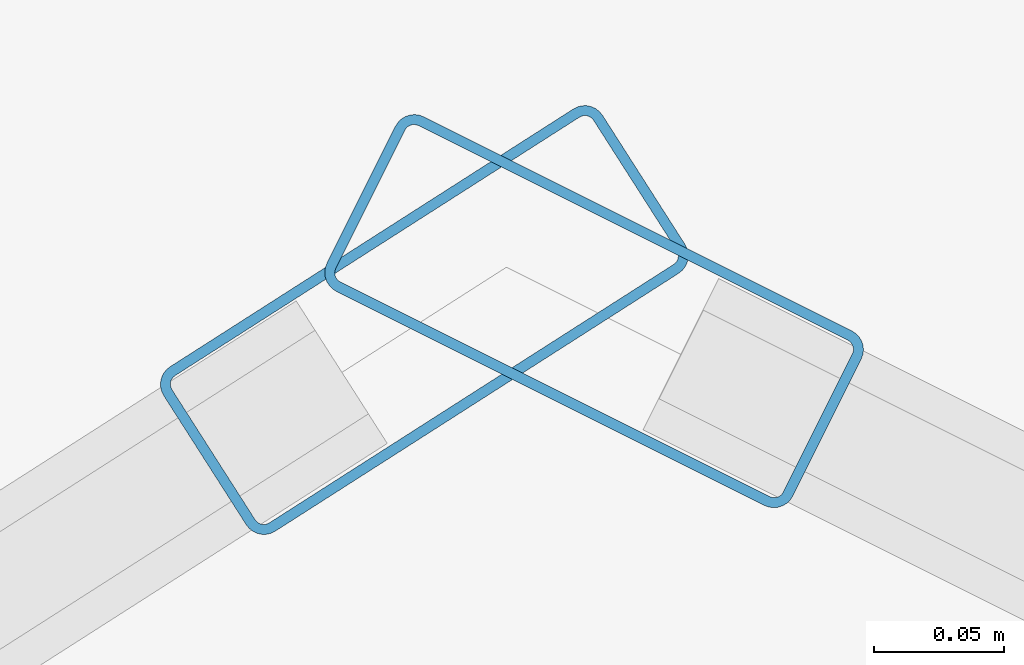
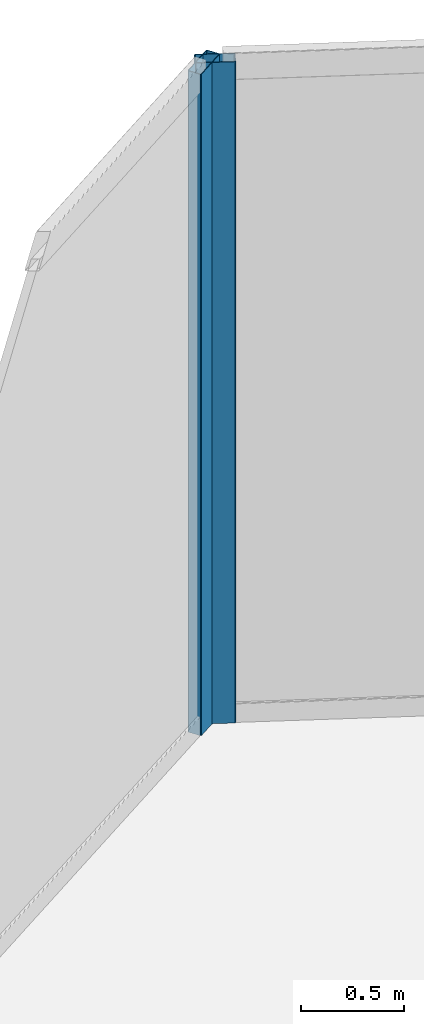
# One storey, part 23 of 34: 2 members, 2 elements without a shape of their own.
"""IFC4 building model written with IfcOpenShell, lengths in metres."""

from ifc_helpers import new_model, si_unit, direction, frame, origin, origin_2d, place, context, subcontext, project, spatial, hollow_rectangle, extrude, material, layer, layer_set, material_profile, profile_set, type_object, element, aggregate, save


model = new_model("IFC4")

# Units and contexts
model_context = context("Model", 3, precision=1e-05, world=origin(), true_north=direction((0.0, 1.0)))
body_context = subcontext(model_context, "Body", "Model", "MODEL_VIEW")
ifc_project = project(units=[si_unit("LENGTHUNIT", "METRE"), si_unit("AREAUNIT", "SQUARE_METRE"), si_unit("VOLUMEUNIT", "CUBIC_METRE"), si_unit("PLANEANGLEUNIT", "RADIAN"), si_unit("MASSUNIT", "GRAM", prefix="KILO")], contexts=[model_context])

# Site, building, storey
site_placement = place(None, origin())
site = spatial("IfcSite", under=ifc_project, at=site_placement, CompositionType="ELEMENT")
building_placement = place(site_placement, origin())
building = spatial("IfcBuilding", under=site, at=building_placement, Name="Qorvath Tower", CompositionType="ELEMENT")
storey_placement = place(building_placement, frame((0.0, 0.0, 276.60009765625)))
storey = spatial("IfcBuildingStorey", under=building, at=storey_placement, Name="L64", CompositionType="ELEMENT", Elevation=276.60009765625)

# Curtain wall, member
ifc_material_1 = material(Name="Anodised aluminium and triple low-E glass", Category="aluminium")
ifc_layer = layer(ifc_material_1, 0.179931640625)
ifc_layer_set = layer_set([ifc_layer], Name="CW-SYS-4")
curtain_wall_type = type_object("IfcCurtainWallType", Name="CW-SYS-4", PredefinedType="NOTDEFINED", material=ifc_layer_set)
curtain_wall_1_placement = place(storey_placement, origin())
curtain_wall_1 = element("IfcCurtainWall", 1, at=curtain_wall_1_placement, inside=storey, type_object=curtain_wall_type, Name="Curtain Wall CW-4 CW-T-L64-15.1", PredefinedType="NOTDEFINED")
ifc_material_2 = material(Name="Anodised aluminium 6063-T6", Category="aluminium")
ifc_material_profile = material_profile(ifc_material_2, hollow_rectangle(XDim=0.074951171875, YDim=0.199951171875, WallThickness=0.00390625, InnerFilletRadius=0.00390625, OuterFilletRadius=0.008056640625, at=origin_2d()), Name="CWM 200x75")
ifc_profile_set = profile_set([ifc_material_profile], Name="Anodised aluminium 6063-T6")
member_type = type_object("IfcMemberType", Name="CWM-200", PredefinedType="MULLION", material=ifc_profile_set)
member_1_placement = place(storey_placement, frame((-17.950439453125, 24.030517578125, 0.0), z_axis=(0.0, 0.0, 1.0), x_axis=(-0.447244838324, -0.894411568906, 0.0)))
member_1 = element("IfcMember", 2, at=member_1_placement, type_object=member_type, Name="CW-4 mullion 2", PredefinedType="MULLION", context=body_context, shape_type="SweptSolid", body=[
    extrude(hollow_rectangle(XDim=0.074951171875, YDim=0.199951171875, WallThickness=0.00390625, InnerFilletRadius=0.00390625, OuterFilletRadius=0.008056640625, at=origin_2d()), origin(), (0.0, 0.0, 1.0), 3.909912109375),
])
aggregate(curtain_wall_1, [member_1])

curtain_wall_2_placement = place(storey_placement, origin())
curtain_wall_2 = element("IfcCurtainWall", 3, at=curtain_wall_2_placement, inside=storey, type_object=curtain_wall_type, Name="Curtain Wall CW-4 CW-T-L64-16.1", PredefinedType="NOTDEFINED")
member_2_placement = place(storey_placement, frame((-18.015625, 24.027099609375, 0.0), z_axis=(0.0, 0.0, 1.0), x_axis=(0.538533509281, -0.842604094093, 0.0)))
member_2 = element("IfcMember", 4, at=member_2_placement, type_object=member_type, Name="CW-4 mullion 1", PredefinedType="MULLION", context=body_context, shape_type="SweptSolid", body=[
    extrude(hollow_rectangle(XDim=0.074951171875, YDim=0.199951171875, WallThickness=0.00390625, InnerFilletRadius=0.00390625, OuterFilletRadius=0.008056640625, at=origin_2d()), origin(), (0.0, 0.0, 1.0), 3.909912109375),
])
aggregate(curtain_wall_2, [member_2])

save(model, "model.ifc")
